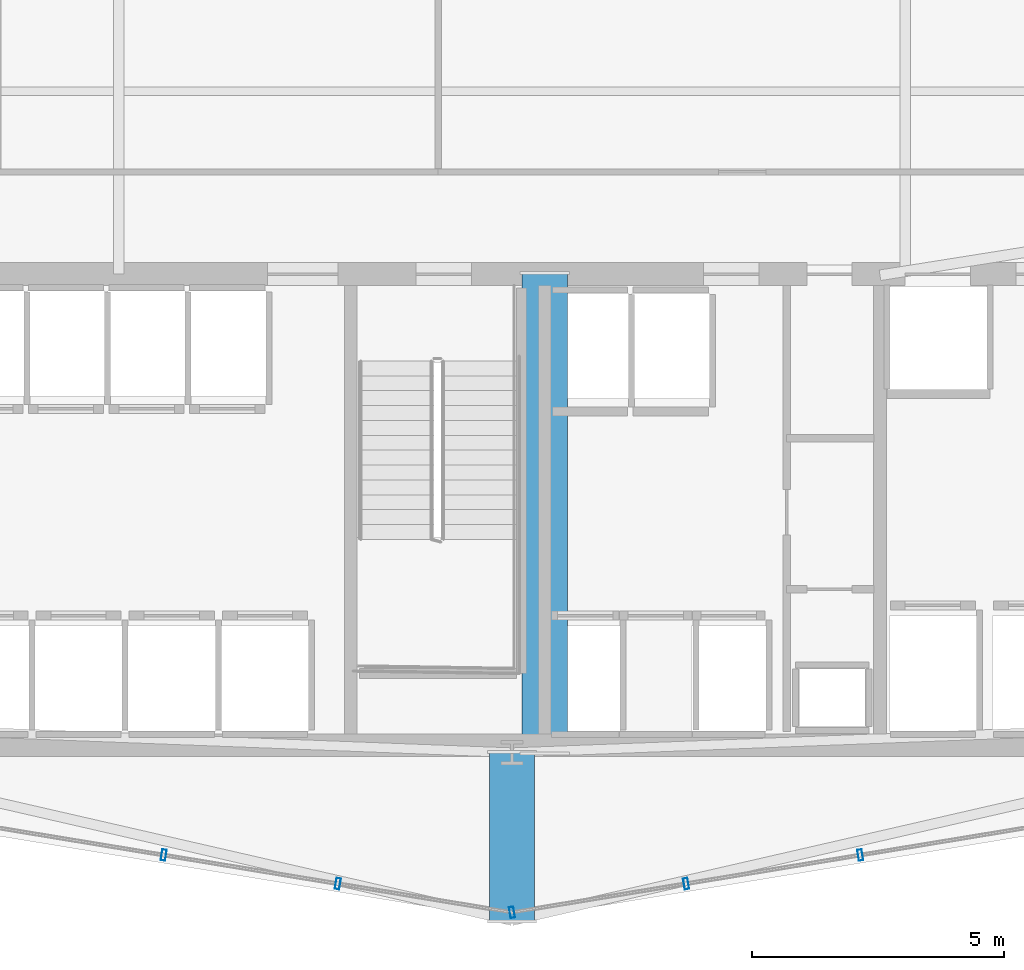
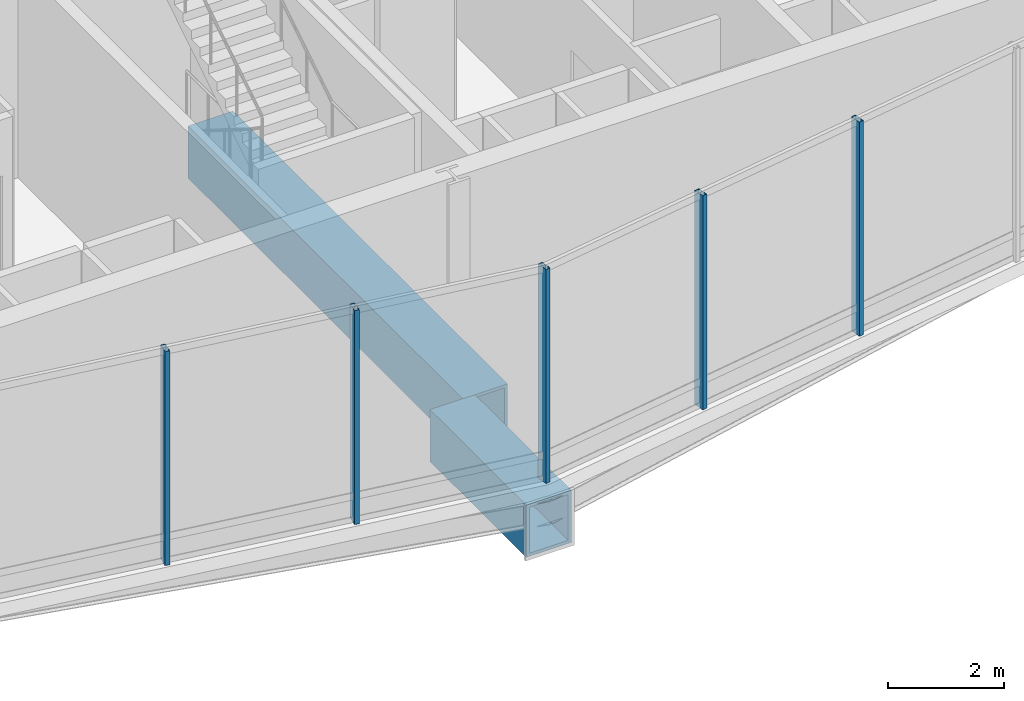
# One storey, part 5 of 26: 5 members, 2 beams, 2 elements without a shape of their own.
"""IFC4 building model written with IfcOpenShell, lengths in metres."""

from ifc_helpers import new_model, si_unit, direction, frame, origin, origin_2d, place, context, subcontext, project, spatial, hollow_rectangle, extrude, material, layer, layer_set, material_profile, profile_set, type_object, element, aggregate, save


model = new_model("IFC4")

# Units and contexts
model_context = context("Model", 3, precision=1e-05, world=origin(), true_north=direction((0.0, 1.0)))
body_context = subcontext(model_context, "Body", "Model", "MODEL_VIEW")
ifc_project = project(units=[si_unit("LENGTHUNIT", "METRE"), si_unit("AREAUNIT", "SQUARE_METRE"), si_unit("VOLUMEUNIT", "CUBIC_METRE"), si_unit("PLANEANGLEUNIT", "RADIAN"), si_unit("MASSUNIT", "GRAM", prefix="KILO")], contexts=[model_context])

# Site, building, storey
site_placement = place(None, origin())
site = spatial("IfcSite", under=ifc_project, at=site_placement, CompositionType="ELEMENT")
building_placement = place(site_placement, origin())
building = spatial("IfcBuilding", under=site, at=building_placement, Name="Ndaravel Arena Tower", CompositionType="ELEMENT")
storey_placement = place(building_placement, frame((0.0, 0.0, 117.39990234375)))
storey = spatial("IfcBuildingStorey", under=building, at=storey_placement, Name="L27", CompositionType="ELEMENT", Elevation=117.39990234375)

# Beams
ifc_material_1 = material(Name="Steel S460", Category="steel")
ifc_material_profile_1 = material_profile(ifc_material_1, hollow_rectangle(XDim=0.89990234375, YDim=1.10009765625, WallThickness=0.06494140625, at=origin_2d()), Name="BOX 1100x900x65")
ifc_profile_set_1 = profile_set([ifc_material_profile_1], Name="Steel S460")
beam_type = type_object("IfcBeamType", Name="BM-STAR-BOX1100", PredefinedType="BEAM", material=ifc_profile_set_1)
beam_1_placement = place(storey_placement, frame((42.64990234375, 14.97998046875, -0.829833984375), z_axis=(0.0, -1.0, 0.0), x_axis=(1.0, 0.0, 0.0)))
element("IfcBeam", 1, at=beam_1_placement, inside=storey, type_object=beam_type, Name="L27 Star Cantilever Backspan Girder SBG-2", PredefinedType="BEAM", context=body_context, shape_type="SweptSolid", body=[
    extrude(hollow_rectangle(XDim=0.89990234375, YDim=1.10009765625, WallThickness=0.06494140625, at=origin_2d()), origin(), (0.0, 0.0, 1.0), 9.5),
])
beam_2_placement = place(storey_placement, frame((42.0, 5.47998046875, -0.829833984375), z_axis=(0.0, -1.0, 0.0), x_axis=(1.0, 0.0, 0.0)))
element("IfcBeam", 2, at=beam_2_placement, inside=storey, type_object=beam_type, Name="L27 Star Cantilever Tip Girder SCG-2", PredefinedType="BEAM", context=body_context, shape_type="SweptSolid", body=[
    extrude(hollow_rectangle(XDim=0.89990234375, YDim=1.10009765625, WallThickness=0.06494140625, at=origin_2d()), origin(), (0.0, 0.0, 1.0), 3.330078125),
])

# Curtain wall, members
ifc_material_2 = material(Name="Aluminium", Category="aluminium")
ifc_layer = layer(ifc_material_2, 0.179931640625)
ifc_layer_set = layer_set([ifc_layer], Name="Aluminium")
curtain_wall_type = type_object("IfcCurtainWallType", Name="CW-SYS-04", PredefinedType="NOTDEFINED", material=ifc_layer_set)
curtain_wall_1_placement = place(storey_placement, origin())
curtain_wall_1 = element("IfcCurtainWall", 3, at=curtain_wall_1_placement, inside=storey, type_object=curtain_wall_type, Name="L27 Faceted Crystal Curtain Wall CW-L27-E02", PredefinedType="NOTDEFINED")
ifc_material_3 = material(Name="Aluminium", Category="aluminium")
ifc_material_profile_2 = material_profile(ifc_material_3, hollow_rectangle(XDim=0.090087890625, YDim=0.219970703125, WallThickness=0.0048828125, at=origin_2d()), Name="CW MULLION 90x220x5")
ifc_profile_set_2 = profile_set([ifc_material_profile_2], Name="Aluminium")
member_type = type_object("IfcMemberType", Name="MEM-CW-MUL220", PredefinedType="MULLION", material=ifc_profile_set_2)
member_1_placement = place(storey_placement, frame((35.090576171875, 3.448486328125, 0.0), z_axis=(0.0, 0.0, 1.0), x_axis=(0.986739822482, -0.162309958809, 0.0)))
member_1 = element("IfcMember", 4, at=member_1_placement, type_object=member_type, Name="CW-L27-E02 Mullion 03", PredefinedType="MULLION", context=body_context, shape_type="SweptSolid", body=[
    extrude(hollow_rectangle(XDim=0.090087890625, YDim=0.219970703125, WallThickness=0.0048828125, at=origin_2d()), origin(), (0.0, 0.0, 1.0), 4.52001953125),
])
member_2_placement = place(storey_placement, frame((38.54541015625, 2.88037109375, 0.0), z_axis=(0.0, 0.0, 1.0), x_axis=(0.986739822482, -0.162309958809, 0.0)))
member_2 = element("IfcMember", 5, at=member_2_placement, type_object=member_type, Name="CW-L27-E02 Mullion 04", PredefinedType="MULLION", context=body_context, shape_type="SweptSolid", body=[
    extrude(hollow_rectangle(XDim=0.090087890625, YDim=0.219970703125, WallThickness=0.0048828125, at=origin_2d()), origin(), (0.0, 0.0, 1.0), 4.52001953125),
])
aggregate(curtain_wall_1, [member_1, member_2])

curtain_wall_2_placement = place(storey_placement, origin())
curtain_wall_2 = element("IfcCurtainWall", 6, at=curtain_wall_2_placement, inside=storey, type_object=curtain_wall_type, Name="L27 Faceted Crystal Curtain Wall CW-L27-E03", PredefinedType="NOTDEFINED")
member_3_placement = place(storey_placement, frame((42.0, 2.31201171875, 0.0), z_axis=(0.0, 0.0, 1.0), x_axis=(0.986739822482, 0.162309958809, 0.0)))
member_3 = element("IfcMember", 7, at=member_3_placement, type_object=member_type, Name="CW-L27-E03 Mullion 00", PredefinedType="MULLION", context=body_context, shape_type="SweptSolid", body=[
    extrude(hollow_rectangle(XDim=0.090087890625, YDim=0.219970703125, WallThickness=0.0048828125, at=origin_2d()), origin(), (0.0, 0.0, 1.0), 4.52001953125),
])
member_4_placement = place(storey_placement, frame((45.45458984375, 2.88037109375, 0.0), z_axis=(0.0, 0.0, 1.0), x_axis=(0.986739822482, 0.162309958809, 0.0)))
member_4 = element("IfcMember", 8, at=member_4_placement, type_object=member_type, Name="CW-L27-E03 Mullion 01", PredefinedType="MULLION", context=body_context, shape_type="SweptSolid", body=[
    extrude(hollow_rectangle(XDim=0.090087890625, YDim=0.219970703125, WallThickness=0.0048828125, at=origin_2d()), origin(), (0.0, 0.0, 1.0), 4.52001953125),
])
member_5_placement = place(storey_placement, frame((48.909423828125, 3.448486328125, 0.0), z_axis=(0.0, 0.0, 1.0), x_axis=(0.986739822482, 0.162309958809, 0.0)))
member_5 = element("IfcMember", 9, at=member_5_placement, type_object=member_type, Name="CW-L27-E03 Mullion 02", PredefinedType="MULLION", context=body_context, shape_type="SweptSolid", body=[
    extrude(hollow_rectangle(XDim=0.090087890625, YDim=0.219970703125, WallThickness=0.0048828125, at=origin_2d()), origin(), (0.0, 0.0, 1.0), 4.52001953125),
])
aggregate(curtain_wall_2, [member_3, member_4, member_5])

save(model, "model.ifc")
